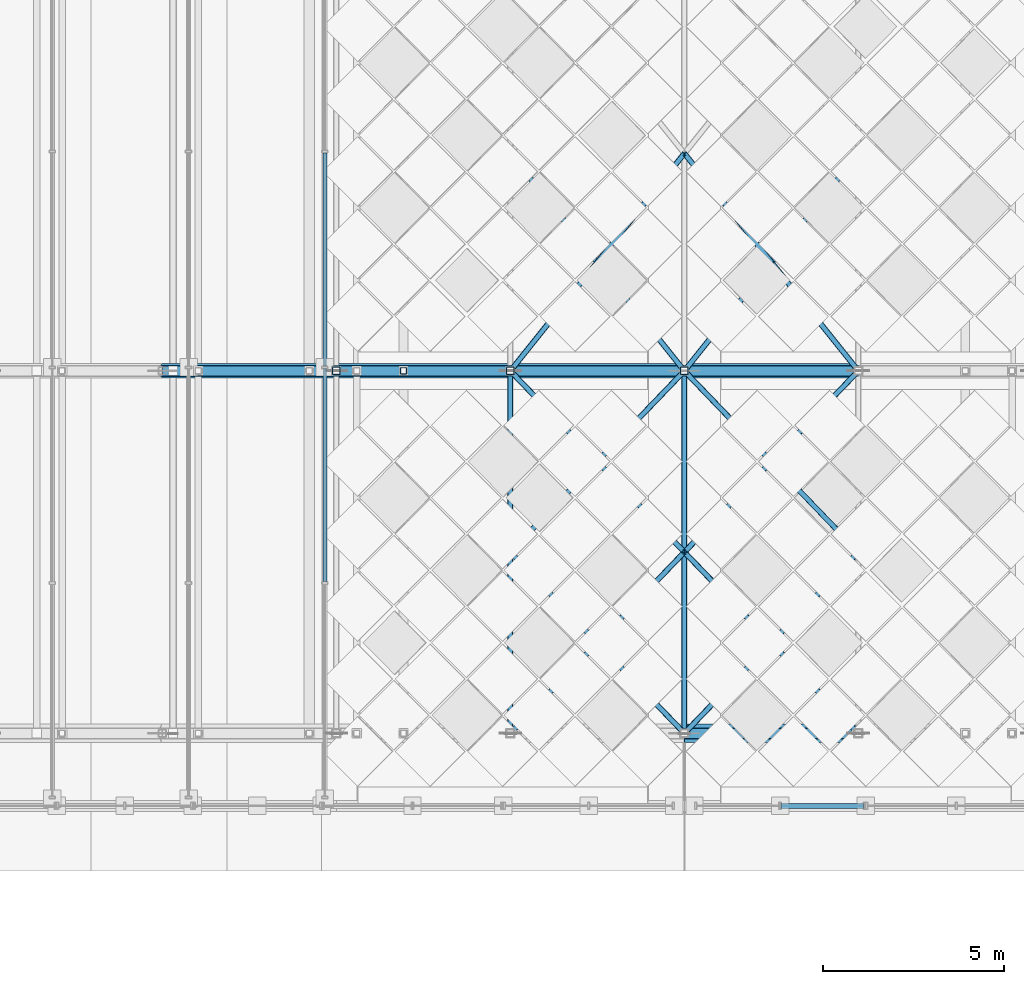
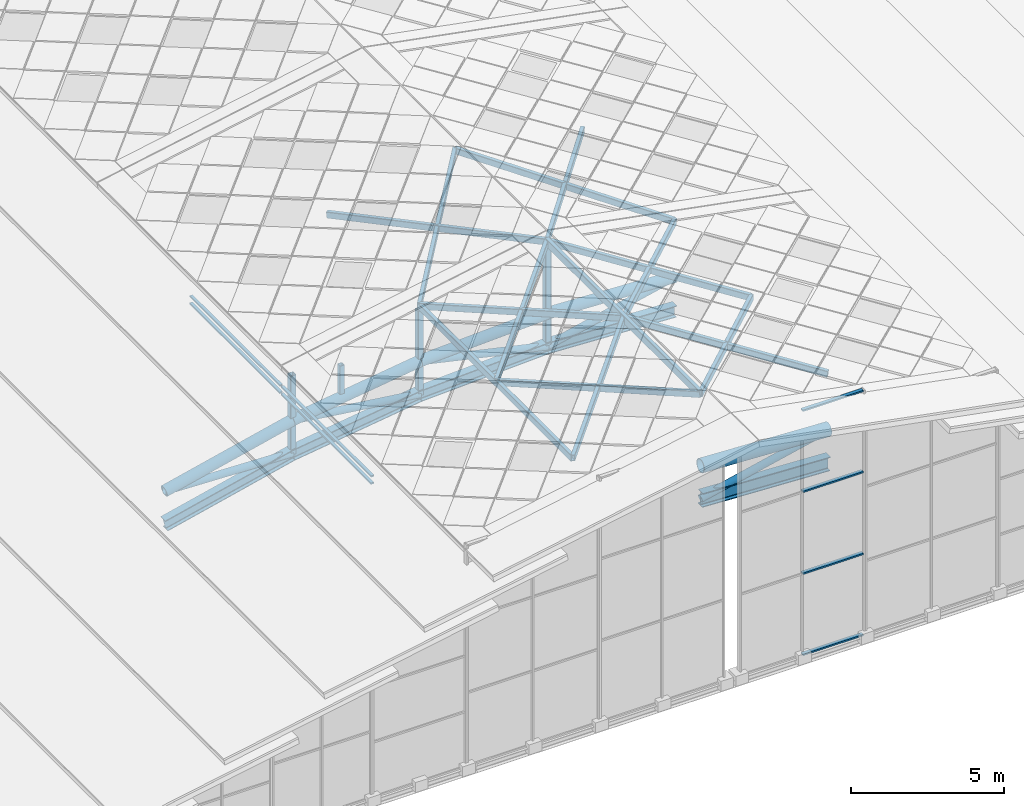
# One storey, part 6 of 117: 41 members, 2 elements without a shape of their own.
"""IFC4 building model written with IfcOpenShell, lengths in metres."""

from ifc_helpers import new_model, si_unit, direction, frame, origin, origin_2d, place, context, subcontext, project, spatial, hollow_rectangle, hollow_circle, i_section, extrude, material, material_profile, profile_set, type_object, element, aggregate, save


model = new_model("IFC4")

# Units and contexts
model_context = context("Model", 3, precision=1e-05, world=origin(), true_north=direction((0.0, 1.0)))
body_context = subcontext(model_context, "Body", "Model", "MODEL_VIEW")
ifc_project = project(units=[si_unit("LENGTHUNIT", "METRE"), si_unit("AREAUNIT", "SQUARE_METRE"), si_unit("VOLUMEUNIT", "CUBIC_METRE"), si_unit("PLANEANGLEUNIT", "RADIAN"), si_unit("MASSUNIT", "GRAM", prefix="KILO")], contexts=[model_context])

# Site, building, storey
site_placement = place(None, origin())
site = spatial("IfcSite", under=ifc_project, at=site_placement, CompositionType="ELEMENT")
building_placement = place(site_placement, origin())
building = spatial("IfcBuilding", under=site, at=building_placement, Name="Merenkruunu Market Hall", CompositionType="ELEMENT")
storey_placement = place(building_placement, frame((0.0, 0.0, 22.800048828125)))
storey = spatial("IfcBuildingStorey", under=building, at=storey_placement, Name="RF", CompositionType="ELEMENT", Elevation=22.800048828125)

# Members
ifc_material_1 = material(Name="Steel S355ML", Category="steel")
ifc_material_profile_1 = material_profile(ifc_material_1, hollow_circle(Radius=0.25390625, WallThickness=0.02001953125, at=origin_2d()), Name="CHS 508x20")
ifc_profile_set_1 = profile_set([ifc_material_profile_1], Name="Steel S355ML")
member_type_1 = type_object("IfcMemberType", Name="Arch Truss Chord TC01", PredefinedType="CHORD", material=ifc_profile_set_1)
member_1_placement = place(storey_placement, frame((28.800048828125, 17.60009765625, -1.446044921875), z_axis=(0.998932934692, 0.0, -0.046184326211), x_axis=(0.0, 1.0, 0.0)))
element("IfcMember", 1, at=member_1_placement, inside=storey, type_object=member_type_1, Name="TRUSS-AT-1-TOP-07", PredefinedType="CHORD", context=body_context, shape_type="SweptSolid", body=[
    extrude(hollow_circle(Radius=0.25390625, WallThickness=0.02001953125, at=origin_2d()), origin(), (0.0, 0.0, 1.0), 4.80517578125),
])
ifc_material_profile_2 = material_profile(ifc_material_1, hollow_circle(Radius=0.203125, WallThickness=0.01611328125, at=origin_2d()), Name="CHS 406.4x16")
ifc_profile_set_2 = profile_set([ifc_material_profile_2], Name="Steel S355ML")
member_type_2 = type_object("IfcMemberType", Name="Arch Truss Chord TC02", PredefinedType="CHORD", material=ifc_profile_set_2)
member_2_placement = place(storey_placement, frame((14.39990234375, 27.60009765625, -3.47998046875), z_axis=(0.972941974064, 0.0, 0.231049594471), x_axis=(0.0, 1.0, 0.0)))
element("IfcMember", 2, at=member_2_placement, inside=storey, type_object=member_type_2, Name="TRUSS-AT-2-TOP-04", PredefinedType="CHORD", context=body_context, shape_type="SweptSolid", body=[
    extrude(hollow_circle(Radius=0.203125, WallThickness=0.01611328125, at=origin_2d()), origin(), (0.0, 0.0, 1.0), 4.93359375),
])
member_3_placement = place(storey_placement, frame((19.199951171875, 27.60009765625, -2.340087890625), z_axis=(0.990338564897, 0.0, 0.138670569613), x_axis=(0.0, 1.0, 0.0)))
element("IfcMember", 3, at=member_3_placement, inside=storey, type_object=member_type_2, Name="TRUSS-AT-2-TOP-05", PredefinedType="CHORD", context=body_context, shape_type="SweptSolid", body=[
    extrude(hollow_circle(Radius=0.203125, WallThickness=0.01611328125, at=origin_2d()), origin(), (0.0, 0.0, 1.0), 4.846923828125),
])
for number, where, z_axis, x_axis, name in (
    (4, (24.0, 27.60009765625, -1.66796875), (0.998932934692, 0.0, 0.046184326211), (0.0, 1.0, 0.0), "TRUSS-AT-2-TOP-06"),
    (5, (28.800048828125, 27.60009765625, -1.446044921875), (0.998932934692, 0.0, -0.046184326211), (0.0, 1.0, 0.0), "TRUSS-AT-2-TOP-07"),
):
    element("IfcMember", number, at=place(storey_placement, frame(where, z_axis=z_axis, x_axis=x_axis)), inside=storey, type_object=member_type_2, Name=name, PredefinedType="CHORD", context=body_context, shape_type="SweptSolid", body=[
        extrude(hollow_circle(Radius=0.203125, WallThickness=0.01611328125, at=origin_2d()), origin(), (0.0, 0.0, 1.0), 4.80517578125),
    ])
ifc_material_profile_3 = material_profile(ifc_material_1, i_section(OverallWidth=0.300048828125, OverallDepth=0.550048828125, WebThickness=0.014892578125, FlangeThickness=0.029052734375, FilletRadius=0.027099609375, at=origin_2d()), Name="HEB 550")
ifc_profile_set_3 = profile_set([ifc_material_profile_3], Name="Steel S355ML")
member_type_3 = type_object("IfcMemberType", Name="Arch Truss Chord TC03", PredefinedType="CHORD", material=ifc_profile_set_3)
member_4_placement = place(storey_placement, frame((28.800048828125, 17.60009765625, -2.74609375), z_axis=(0.998932934692, 0.0, -0.046184326211), x_axis=(0.0, 1.0, 0.0)))
element("IfcMember", 6, at=member_4_placement, inside=storey, type_object=member_type_3, Name="TRUSS-AT-1-BOT-07", PredefinedType="CHORD", context=body_context, shape_type="SweptSolid", body=[
    extrude(i_section(OverallWidth=0.300048828125, OverallDepth=0.550048828125, WebThickness=0.014892578125, FlangeThickness=0.029052734375, FilletRadius=0.027099609375, at=origin_2d()), origin(), (0.0, 0.0, 1.0), 4.80517578125),
])
ifc_material_profile_4 = material_profile(ifc_material_1, i_section(OverallWidth=0.300048828125, OverallDepth=0.449951171875, WebThickness=0.013916015625, FlangeThickness=0.02587890625, FilletRadius=0.027099609375, at=origin_2d()), Name="HEB 450")
ifc_profile_set_4 = profile_set([ifc_material_profile_4], Name="Steel S355ML")
member_type_4 = type_object("IfcMemberType", Name="Arch Truss Chord TC04", PredefinedType="CHORD", material=ifc_profile_set_4)
member_5_placement = place(storey_placement, frame((14.39990234375, 27.60009765625, -4.780029296875), z_axis=(0.972941974064, 0.0, 0.231049594471), x_axis=(0.0, 1.0, 0.0)))
element("IfcMember", 7, at=member_5_placement, inside=storey, type_object=member_type_4, Name="TRUSS-AT-2-BOT-04", PredefinedType="CHORD", context=body_context, shape_type="SweptSolid", body=[
    extrude(i_section(OverallWidth=0.300048828125, OverallDepth=0.449951171875, WebThickness=0.013916015625, FlangeThickness=0.02587890625, FilletRadius=0.027099609375, at=origin_2d()), origin(), (0.0, 0.0, 1.0), 4.93359375),
])
member_6_placement = place(storey_placement, frame((19.199951171875, 27.60009765625, -3.64013671875), z_axis=(0.990338564897, 0.0, 0.138670569613), x_axis=(0.0, 1.0, 0.0)))
element("IfcMember", 8, at=member_6_placement, inside=storey, type_object=member_type_4, Name="TRUSS-AT-2-BOT-05", PredefinedType="CHORD", context=body_context, shape_type="SweptSolid", body=[
    extrude(i_section(OverallWidth=0.300048828125, OverallDepth=0.449951171875, WebThickness=0.013916015625, FlangeThickness=0.02587890625, FilletRadius=0.027099609375, at=origin_2d()), origin(), (0.0, 0.0, 1.0), 4.846923828125),
])
for number, where, z_axis, x_axis, name in (
    (9, (24.0, 27.60009765625, -2.968017578125), (0.998932934692, 0.0, 0.046184326211), (0.0, 1.0, 0.0), "TRUSS-AT-2-BOT-06"),
    (10, (28.800048828125, 27.60009765625, -2.74609375), (0.998932934692, 0.0, -0.046184326211), (0.0, 1.0, 0.0), "TRUSS-AT-2-BOT-07"),
):
    element("IfcMember", number, at=place(storey_placement, frame(where, z_axis=z_axis, x_axis=x_axis)), inside=storey, type_object=member_type_4, Name=name, PredefinedType="CHORD", context=body_context, shape_type="SweptSolid", body=[
        extrude(i_section(OverallWidth=0.300048828125, OverallDepth=0.449951171875, WebThickness=0.013916015625, FlangeThickness=0.02587890625, FilletRadius=0.027099609375, at=origin_2d()), origin(), (0.0, 0.0, 1.0), 4.80517578125),
    ])

# Curtain wall, members
ifc_material_2 = material(Name="Powder-coated aluminium", Category="aluminium")
curtain_wall_type_1 = type_object("IfcCurtainWallType", Name="Glazed Curtain Wall CW18", PredefinedType="USERDEFINED", material=ifc_material_2)
curtain_wall_1_placement = place(storey_placement, origin())
curtain_wall_1 = element("IfcCurtainWall", 11, at=curtain_wall_1_placement, inside=storey, type_object=curtain_wall_type_1, Name="CW-RF-CWM03-044", ObjectType="GLAZED_FACADE", PredefinedType="USERDEFINED")
ifc_material_profile_5 = material_profile(ifc_material_2, hollow_rectangle(XDim=0.06005859375, YDim=0.139892578125, WallThickness=0.00390625, at=origin_2d()), Name="ALU 60x140x4")
ifc_profile_set_5 = profile_set([ifc_material_profile_5], Name="Powder-coated aluminium")
member_type_5 = type_object("IfcMemberType", Name="Curtain Wall Transom CWT02", PredefinedType="USERDEFINED", material=ifc_profile_set_5)
member_7_placement = place(storey_placement, frame((33.739990234375, 15.60009765625, -8.66015625), z_axis=(-1.0, 0.0, 0.0), x_axis=(0.0, 0.0, 1.0)))
member_7 = element("IfcMember", 12, at=member_7_placement, type_object=member_type_5, Name="CW18 transom 1.1", ObjectType="TRANSOM", PredefinedType="USERDEFINED", context=body_context, shape_type="SweptSolid", body=[
    extrude(hollow_rectangle(XDim=0.06005859375, YDim=0.139892578125, WallThickness=0.00390625, at=origin_2d()), origin(), (0.0, 0.0, 1.0), 2.27001953125),
])
member_8_placement = place(storey_placement, frame((33.739990234375, 15.60009765625, -5.43310546875), z_axis=(-1.0, 0.0, 0.0), x_axis=(0.0, 0.0, 1.0)))
member_8 = element("IfcMember", 13, at=member_8_placement, type_object=member_type_5, Name="CW18 transom 1.2", ObjectType="TRANSOM", PredefinedType="USERDEFINED", context=body_context, shape_type="SweptSolid", body=[
    extrude(hollow_rectangle(XDim=0.06005859375, YDim=0.139892578125, WallThickness=0.00390625, at=origin_2d()), origin(), (0.0, 0.0, 1.0), 2.27001953125),
])
member_9_placement = place(storey_placement, frame((33.739990234375, 15.60009765625, -2.177001953125), z_axis=(-1.0, 0.0, 0.0), x_axis=(0.0, 0.0, 1.0)))
member_9 = element("IfcMember", 14, at=member_9_placement, type_object=member_type_5, Name="CW18 transom 1.3", ObjectType="TRANSOM", PredefinedType="USERDEFINED", context=body_context, shape_type="SweptSolid", body=[
    extrude(hollow_rectangle(XDim=0.06005859375, YDim=0.139892578125, WallThickness=0.00390625, at=origin_2d()), origin(), (0.0, 0.0, 1.0), 2.27001953125),
])
member_10_placement = place(storey_placement, frame((33.739990234375, 15.60009765625, 1.050048828125), z_axis=(-1.0, 0.0, 0.0), x_axis=(0.0, 0.0, 1.0)))
member_10 = element("IfcMember", 15, at=member_10_placement, type_object=member_type_5, Name="CW18 transom 1.4", ObjectType="TRANSOM", PredefinedType="USERDEFINED", context=body_context, shape_type="SweptSolid", body=[
    extrude(hollow_rectangle(XDim=0.06005859375, YDim=0.139892578125, WallThickness=0.00390625, at=origin_2d()), origin(), (0.0, 0.0, 1.0), 2.27001953125),
])
aggregate(curtain_wall_1, [member_7, member_8, member_9, member_10])

curtain_wall_type_2 = type_object("IfcCurtainWallType", Name="Clerestory Curtain Band CL05", PredefinedType="USERDEFINED", material=ifc_material_2)
curtain_wall_2_placement = place(storey_placement, origin())
curtain_wall_2 = element("IfcCurtainWall", 16, at=curtain_wall_2_placement, inside=storey, type_object=curtain_wall_type_2, Name="CW-RF-CWM04-113", ObjectType="CLERESTORY_BAND", PredefinedType="USERDEFINED")
ifc_material_profile_6 = material_profile(ifc_material_2, hollow_rectangle(XDim=0.06005859375, YDim=0.110107421875, WallThickness=0.00390625, at=origin_2d()), Name="ALU 60x110x4")
ifc_profile_set_6 = profile_set([ifc_material_profile_6], Name="Powder-coated aluminium")
member_type_6 = type_object("IfcMemberType", Name="Curtain Wall Transom CWT03", PredefinedType="USERDEFINED", material=ifc_profile_set_6)
member_11_placement = place(storey_placement, frame((18.8798828125, 21.784912109375, -1.212158203125), z_axis=(0.0, 1.0, 0.0), x_axis=(0.0, 0.0, 1.0)))
member_11 = element("IfcMember", 17, at=member_11_placement, type_object=member_type_6, Name="CL05 transom 2.1", ObjectType="TRANSOM", PredefinedType="USERDEFINED", context=body_context, shape_type="SweptSolid", body=[
    extrude(hollow_rectangle(XDim=0.06005859375, YDim=0.110107421875, WallThickness=0.00390625, at=origin_2d()), origin(), (0.0, 0.0, 1.0), 5.880126953125),
])
member_12_placement = place(storey_placement, frame((18.8798828125, 21.784912109375, -0.924072265625), z_axis=(0.0, 1.0, 0.0), x_axis=(0.0, 0.0, 1.0)))
member_12 = element("IfcMember", 18, at=member_12_placement, type_object=member_type_6, Name="CL05 transom 2.2", ObjectType="TRANSOM", PredefinedType="USERDEFINED", context=body_context, shape_type="SweptSolid", body=[
    extrude(hollow_rectangle(XDim=0.06005859375, YDim=0.110107421875, WallThickness=0.00390625, at=origin_2d()), origin(), (0.0, 0.0, 1.0), 5.880126953125),
])
member_13_placement = place(storey_placement, frame((18.8798828125, 27.735107421875, -1.212158203125), z_axis=(0.0, 1.0, 0.0), x_axis=(0.0, 0.0, 1.0)))
member_13 = element("IfcMember", 19, at=member_13_placement, type_object=member_type_6, Name="CL05 transom 3.1", ObjectType="TRANSOM", PredefinedType="USERDEFINED", context=body_context, shape_type="SweptSolid", body=[
    extrude(hollow_rectangle(XDim=0.06005859375, YDim=0.110107421875, WallThickness=0.00390625, at=origin_2d()), origin(), (0.0, 0.0, 1.0), 5.8798828125),
])
member_14_placement = place(storey_placement, frame((18.8798828125, 27.735107421875, -0.924072265625), z_axis=(0.0, 1.0, 0.0), x_axis=(0.0, 0.0, 1.0)))
member_14 = element("IfcMember", 20, at=member_14_placement, type_object=member_type_6, Name="CL05 transom 3.2", ObjectType="TRANSOM", PredefinedType="USERDEFINED", context=body_context, shape_type="SweptSolid", body=[
    extrude(hollow_rectangle(XDim=0.06005859375, YDim=0.110107421875, WallThickness=0.00390625, at=origin_2d()), origin(), (0.0, 0.0, 1.0), 5.8798828125),
])
aggregate(curtain_wall_2, [member_11, member_12, member_13, member_14])

# Members
ifc_material_profile_7 = material_profile(ifc_material_1, hollow_circle(Radius=0.136474609375, WallThickness=0.012451171875, at=origin_2d()), Name="CHS 273x12.5")
ifc_profile_set_7 = profile_set([ifc_material_profile_7], Name="Steel S355ML")
member_type_7 = type_object("IfcMemberType", Name="Diagonal Sway Brace BR02", PredefinedType="BRACE", material=ifc_profile_set_7)
member_15_placement = place(storey_placement, frame((28.800048828125, 17.60009765625, -2.74609375), z_axis=(0.975691787326, 0.0, 0.219147293262), x_axis=(0.0, 1.0, 0.0)))
element("IfcMember", 21, at=member_15_placement, inside=storey, type_object=member_type_7, Name="TRUSS-AT-1-DIAG-07", PredefinedType="BRACE", context=body_context, shape_type="SweptSolid", body=[
    extrude(hollow_circle(Radius=0.136474609375, WallThickness=0.012451171875, at=origin_2d()), origin(), (0.0, 0.0, 1.0), 4.919677734375),
])
member_16_placement = place(storey_placement, frame((14.39990234375, 27.60009765625, -3.47998046875), z_axis=(0.999443834494, 0.0, -0.033346989239), x_axis=(0.0, 1.0, 0.0)))
element("IfcMember", 22, at=member_16_placement, inside=storey, type_object=member_type_7, Name="TRUSS-AT-2-DIAG-04", PredefinedType="BRACE", context=body_context, shape_type="SweptSolid", body=[
    extrude(hollow_circle(Radius=0.136474609375, WallThickness=0.012451171875, at=origin_2d()), origin(), (0.0, 0.0, 1.0), 4.802734375),
])
member_17_placement = place(storey_placement, frame((19.199951171875, 27.60009765625, -2.340087890625), z_axis=(0.991551689691, 0.0, -0.129712168551), x_axis=(0.0, 1.0, 0.0)))
element("IfcMember", 23, at=member_17_placement, inside=storey, type_object=member_type_7, Name="TRUSS-AT-2-DIAG-05", PredefinedType="BRACE", context=body_context, shape_type="SweptSolid", body=[
    extrude(hollow_circle(Radius=0.136474609375, WallThickness=0.012451171875, at=origin_2d()), origin(), (0.0, 0.0, 1.0), 4.841064453125),
])
for number, where, z_axis, x_axis, name in (
    (24, (24.0, 27.60009765625, -1.66796875), (0.975691787326, 0.0, -0.219147293262), (0.0, 1.0, 0.0), "TRUSS-AT-2-DIAG-06"),
    (25, (28.800048828125, 27.60009765625, -2.74609375), (0.975691787326, 0.0, 0.219147293262), (0.0, 1.0, 0.0), "TRUSS-AT-2-DIAG-07"),
):
    element("IfcMember", number, at=place(storey_placement, frame(where, z_axis=z_axis, x_axis=x_axis)), inside=storey, type_object=member_type_7, Name=name, PredefinedType="BRACE", context=body_context, shape_type="SweptSolid", body=[
        extrude(hollow_circle(Radius=0.136474609375, WallThickness=0.012451171875, at=origin_2d()), origin(), (0.0, 0.0, 1.0), 4.919677734375),
    ])
ifc_material_3 = material(Name="Steel S355J2", Category="steel")
ifc_material_profile_8 = material_profile(ifc_material_3, hollow_rectangle(XDim=0.219970703125, YDim=0.219970703125, WallThickness=0.012451171875, InnerFilletRadius=0.012451171875, OuterFilletRadius=0.02490234375, at=origin_2d()), Name="SHS 220x220x12.5")
ifc_profile_set_8 = profile_set([ifc_material_profile_8], Name="Steel S355J2")
member_type_8 = type_object("IfcMemberType", Name="Diagonal Sway Brace BR04", PredefinedType="BRACE", material=ifc_profile_set_8)
member_18_placement = place(storey_placement, frame((19.199951171875, 27.60009765625, -3.64013671875), z_axis=(0.0, 0.0, 1.0), x_axis=(1.0, 0.0, 0.0)))
element("IfcMember", 26, at=member_18_placement, inside=storey, type_object=member_type_8, Name="TRUSS-AT-2-POST-04", PredefinedType="BRACE", context=body_context, shape_type="SweptSolid", body=[
    extrude(hollow_rectangle(XDim=0.219970703125, YDim=0.219970703125, WallThickness=0.012451171875, InnerFilletRadius=0.012451171875, OuterFilletRadius=0.02490234375, at=origin_2d()), origin(), (0.0, 0.0, 1.0), 3.1416015625),
])
member_19_placement = place(storey_placement, frame((24.0, 27.60009765625, -2.968017578125), z_axis=(0.0, 0.0, 1.0), x_axis=(1.0, 0.0, 0.0)))
element("IfcMember", 27, at=member_19_placement, inside=storey, type_object=member_type_8, Name="TRUSS-AT-2-POST-05", PredefinedType="BRACE", context=body_context, shape_type="SweptSolid", body=[
    extrude(hollow_rectangle(XDim=0.219970703125, YDim=0.219970703125, WallThickness=0.012451171875, InnerFilletRadius=0.012451171875, OuterFilletRadius=0.02490234375, at=origin_2d()), origin(), (0.0, 0.0, 1.0), 3.3720703125),
])
member_20_placement = place(storey_placement, frame((28.800048828125, 27.60009765625, -2.74609375), z_axis=(0.0, 0.0, 1.0), x_axis=(1.0, 0.0, 0.0)))
element("IfcMember", 28, at=member_20_placement, inside=storey, type_object=member_type_8, Name="TRUSS-AT-2-POST-06", PredefinedType="BRACE", context=body_context, shape_type="SweptSolid", body=[
    extrude(hollow_rectangle(XDim=0.219970703125, YDim=0.219970703125, WallThickness=0.012451171875, InnerFilletRadius=0.012451171875, OuterFilletRadius=0.02490234375, at=origin_2d()), origin(), (0.0, 0.0, 1.0), 4.00244140625),
])
ifc_material_profile_9 = material_profile(ifc_material_3, hollow_rectangle(XDim=0.179931640625, YDim=0.179931640625, WallThickness=0.010009765625, InnerFilletRadius=0.010009765625, OuterFilletRadius=0.02001953125, at=origin_2d()), Name="SHS 180x180x10")
ifc_profile_set_9 = profile_set([ifc_material_profile_9], Name="Steel S355J2")
member_type_9 = type_object("IfcMemberType", Name="Diagonal Sway Brace BR05", PredefinedType="BRACE", material=ifc_profile_set_9)
member_21_placement = place(storey_placement, frame((21.050048828125, 27.60009765625, -1.889892578125), z_axis=(0.0, 0.0, 1.0), x_axis=(1.0, 0.0, 0.0)))
element("IfcMember", 29, at=member_21_placement, inside=storey, type_object=member_type_9, Name="TRUSS-AT-2-RISER-W6-2", PredefinedType="BRACE", context=body_context, shape_type="SweptSolid", body=[
    extrude(hollow_rectangle(XDim=0.179931640625, YDim=0.179931640625, WallThickness=0.010009765625, InnerFilletRadius=0.010009765625, OuterFilletRadius=0.02001953125, at=origin_2d()), origin(), (0.0, 0.0, 1.0), 1.12841796875),
])
ifc_material_profile_10 = material_profile(ifc_material_1, hollow_rectangle(XDim=0.14990234375, YDim=0.25, WallThickness=0.010009765625, InnerFilletRadius=0.010009765625, OuterFilletRadius=0.02001953125, at=origin_2d()), Name="RHS 250x150x10")
ifc_profile_set_10 = profile_set([ifc_material_profile_10], Name="Steel S355ML")
member_type_10 = type_object("IfcMemberType", Name="Roof Purlin Rafter PR04", PredefinedType="PURLIN", material=ifc_profile_set_10)
member_22_placement = place(storey_placement, frame((24.0, 17.60009765625, 0.546875), z_axis=(0.0, 1.0, 0.0), x_axis=(-1.0, 0.0, 0.0)))
element("IfcMember", 30, at=member_22_placement, inside=storey, type_object=member_type_10, Name="MEM-CROWN-MID-003", PredefinedType="PURLIN", context=body_context, shape_type="SweptSolid", body=[
    extrude(hollow_rectangle(XDim=0.14990234375, YDim=0.25, WallThickness=0.010009765625, InnerFilletRadius=0.010009765625, OuterFilletRadius=0.02001953125, at=origin_2d()), origin(), (0.0, 0.0, 1.0), 10.0),
])
for number, where, z_axis, x_axis, name in (
    (31, (24.0, 17.60009765625, 0.546875), (0.687051980207, 0.715671865858, 0.125592025678), (-0.721383801573, 0.692535494273, 0.0), "MEM-CROWN-DIAG-004"),
    (32, (28.800048828125, 17.60009765625, 1.42431640625), (-0.687051980207, 0.715671865858, -0.125592025678), (-0.721383801573, -0.692535494273, 0.0), "MEM-CROWN-DIAG-005"),
    (33, (24.0, 22.60009765625, 0.546875), (0.687051980207, 0.715671865858, 0.125592025678), (-0.721383801573, 0.692535494273, 0.0), "MEM-CROWN-DIAG-006"),
    (34, (28.800048828125, 22.60009765625, 1.42431640625), (-0.687051980207, 0.715671865858, -0.125592025678), (-0.721383801573, -0.692535494273, 0.0), "MEM-CROWN-DIAG-007"),
    (35, (33.60009765625, 17.60009765625, 0.546875), (-0.687051980207, 0.715671865858, 0.125592025678), (-0.721383801573, -0.692535494273, 0.0), "MEM-CROWN-DIAG-010"),
    (36, (28.800048828125, 17.60009765625, 1.42431640625), (0.687051980207, 0.715671865858, -0.125592025678), (-0.721383801573, 0.692535494273, 0.0), "MEM-CROWN-DIAG-011"),
    (37, (33.60009765625, 22.60009765625, 0.546875), (-0.687051980207, 0.715671865858, 0.125592025678), (-0.721383801573, -0.692535494273, 0.0), "MEM-CROWN-DIAG-012"),
    (38, (28.800048828125, 22.60009765625, 1.42431640625), (0.687051980207, 0.715671865858, -0.125592025678), (-0.721383801573, 0.692535494273, 0.0), "MEM-CROWN-DIAG-013"),
):
    element("IfcMember", number, at=place(storey_placement, frame(where, z_axis=z_axis, x_axis=x_axis)), inside=storey, type_object=member_type_10, Name=name, PredefinedType="PURLIN", context=body_context, shape_type="SweptSolid", body=[
        extrude(hollow_rectangle(XDim=0.14990234375, YDim=0.25, WallThickness=0.010009765625, InnerFilletRadius=0.010009765625, OuterFilletRadius=0.02001953125, at=origin_2d()), origin(), (0.0, 0.0, 1.0), 6.986328125),
    ])
for number, where, z_axis, x_axis, name in (
    (39, (24.0, 27.60009765625, 0.546875), (0.620665210201, 0.775823620665, 0.11345662812), (-0.780865709579, 0.624698922365, 0.0), "MEM-CROWN-DIAG-017"),
    (40, (28.800048828125, 27.60009765625, 1.42431640625), (-0.620665210201, 0.775823620665, -0.11345662812), (-0.780865709579, -0.624698922365, 0.0), "MEM-CROWN-DIAG-018"),
    (41, (33.60009765625, 27.60009765625, 0.546875), (-0.620665210201, 0.775823620665, 0.11345662812), (-0.780865709579, -0.624698922365, 0.0), "MEM-CROWN-DIAG-023"),
    (42, (28.800048828125, 27.60009765625, 1.42431640625), (0.620665210201, 0.775823620665, -0.11345662812), (-0.780865709579, 0.624698922365, 0.0), "MEM-CROWN-DIAG-024"),
):
    element("IfcMember", number, at=place(storey_placement, frame(where, z_axis=z_axis, x_axis=x_axis)), inside=storey, type_object=member_type_10, Name=name, PredefinedType="PURLIN", context=body_context, shape_type="SweptSolid", body=[
        extrude(hollow_rectangle(XDim=0.14990234375, YDim=0.25, WallThickness=0.010009765625, InnerFilletRadius=0.010009765625, OuterFilletRadius=0.02001953125, at=origin_2d()), origin(), (0.0, 0.0, 1.0), 7.733642578125),
    ])
ifc_material_profile_11 = material_profile(ifc_material_1, hollow_rectangle(XDim=0.14990234375, YDim=0.300048828125, WallThickness=0.012451171875, InnerFilletRadius=0.012451171875, OuterFilletRadius=0.02490234375, at=origin_2d()), Name="RHS 300x150x12.5")
ifc_profile_set_11 = profile_set([ifc_material_profile_11], Name="Steel S355ML")
member_type_11 = type_object("IfcMemberType", Name="Roof Purlin Rafter PR05", PredefinedType="PURLIN", material=ifc_profile_set_11)
member_23_placement = place(storey_placement, frame((28.800048828125, 17.60009765625, 1.42431640625), z_axis=(0.0, 1.0, 0.0), x_axis=(-1.0, 0.0, 0.0)))
element("IfcMember", 43, at=member_23_placement, inside=storey, type_object=member_type_11, Name="MEM-CROWN-RIDGE-001", PredefinedType="PURLIN", context=body_context, shape_type="SweptSolid", body=[
    extrude(hollow_rectangle(XDim=0.14990234375, YDim=0.300048828125, WallThickness=0.012451171875, InnerFilletRadius=0.012451171875, OuterFilletRadius=0.02490234375, at=origin_2d()), origin(), (0.0, 0.0, 1.0), 10.0),
])

save(model, "model.ifc")
